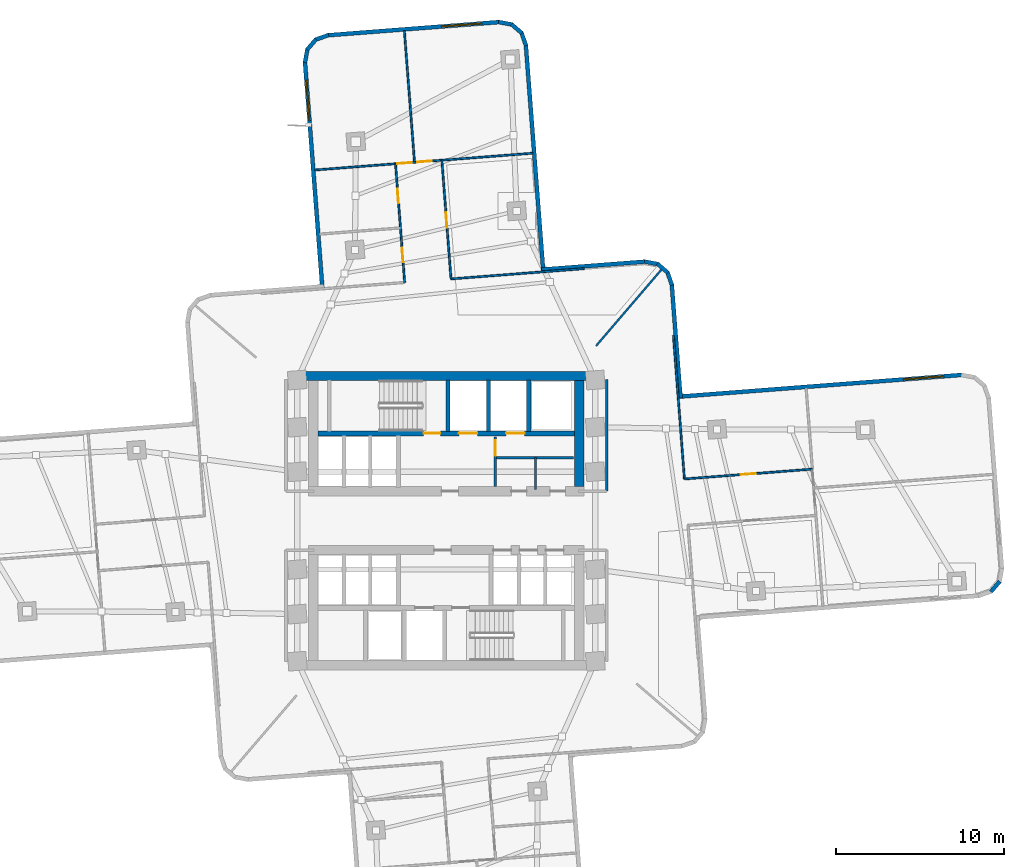
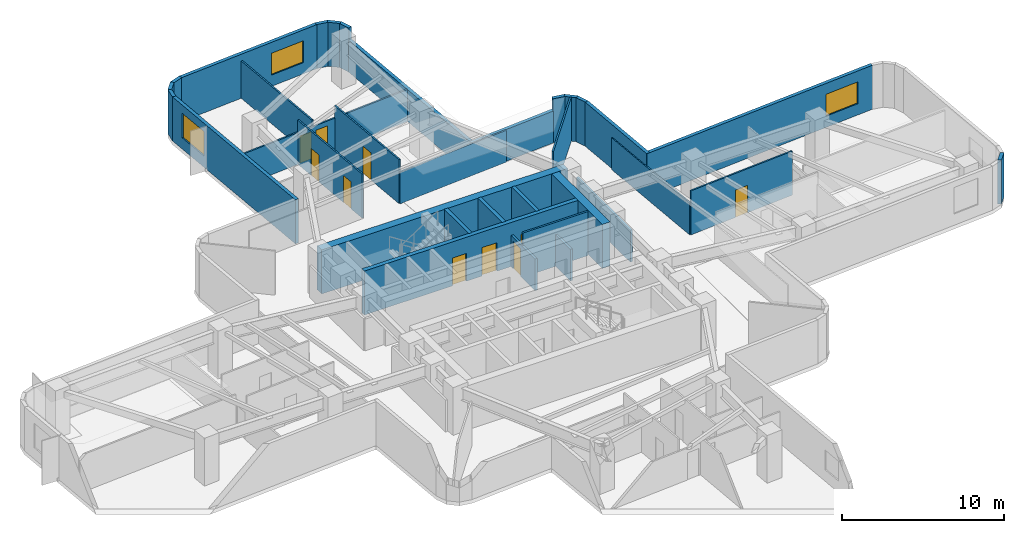
# One storey, part 5 of 10: 34 walls, 10 doors, 3 windows, 13 openings.
"""IFC4 building model written with IfcOpenShell, lengths in metres."""

from ifc_helpers import new_model, si_unit, direction, frame, frame_2d, origin, place, context, subcontext, project, spatial, rectangle, extrude, material, layer, layer_set, type_object, element, fill, save


model = new_model("IFC4")

# Units and contexts
model_context = context("Model", 3, precision=1e-05, world=origin(), true_north=direction((0.0, 1.0)))
body_context = subcontext(model_context, "Body", "Model", "MODEL_VIEW")
ifc_project = project(units=[si_unit("LENGTHUNIT", "METRE"), si_unit("AREAUNIT", "SQUARE_METRE"), si_unit("VOLUMEUNIT", "CUBIC_METRE"), si_unit("PLANEANGLEUNIT", "RADIAN"), si_unit("MASSUNIT", "GRAM", prefix="KILO")], contexts=[model_context])

# Site, building, storey
site_placement = place(None, origin())
site = spatial("IfcSite", under=ifc_project, at=site_placement, CompositionType="ELEMENT")
building_placement = place(site_placement, origin())
building = spatial("IfcBuilding", under=site, at=building_placement, Name="Solmarez Civic Tower", CompositionType="ELEMENT")
storey_placement = place(building_placement, frame((0.0, 0.0, 56.8798828125)))
storey = spatial("IfcBuildingStorey", under=building, at=storey_placement, Name="L14", CompositionType="ELEMENT", Elevation=56.8798828125)

# Walls
ifc_material_1 = material(Name="Concrete C60/75", Category="concrete")
ifc_layer_1 = layer(ifc_material_1, 0.550048828125)
ifc_layer_set_1 = layer_set([ifc_layer_1], Name="Concrete C60/75")
wall_type_1 = type_object("IfcWallType", Name="WALL-CORE-550", PredefinedType="SHEAR", material=ifc_layer_set_1)
wall_1_placement = place(storey_placement, frame((-8.780029296875, 8.5849609375, 0.0), z_axis=(0.0, 0.0, 1.0), x_axis=(1.0, 0.0, 0.0)))
element("IfcWall", 1, at=wall_1_placement, inside=storey, type_object=wall_type_1, Name="L14 Split-Core Structural Wall NCW-N-L14", PredefinedType="SHEAR", context=body_context, shape_type="SweptSolid", body=[
    extrude(rectangle(XDim=17.56005859375, YDim=0.550048828125, at=frame_2d((8.780029296875, 0.0))), origin(), (0.0, 0.0, 1.0), 3.320068359375),
])
wall_2_placement = place(storey_placement, frame((7.89501953125, 8.31005859375, 0.0), z_axis=(0.0, 0.0, 1.0), x_axis=(0.0, -1.0, 0.0)))
element("IfcWall", 2, at=wall_2_placement, inside=storey, type_object=wall_type_1, Name="L14 Split-Core Structural Wall NCW-E-L14", PredefinedType="SHEAR", context=body_context, shape_type="SweptSolid", body=[
    extrude(rectangle(XDim=6.28515625, YDim=0.550048828125, at=frame_2d((3.142578125, 0.0))), origin(), (0.0, 0.0, 1.0), 3.320068359375),
])

# Wall, opening, window
ifc_material_2 = material(Name="Precast concrete C40/50", Category="concrete")
ifc_layer_2 = layer(ifc_material_2, 0.239990234375)
ifc_layer_set_2 = layer_set([ifc_layer_2], Name="Precast concrete C40/50")
wall_type_2 = type_object("IfcWallType", Name="WALL-EXT-240", PredefinedType="SOLIDWALL", material=ifc_layer_set_2)
wall_3_placement = place(storey_placement, frame((-7.362060546875, 13.81005859375, 0.0), z_axis=(0.0, 0.0, 1.0), x_axis=(-0.076653550573, 0.997057788287, 0.0)))
wall_3 = element("IfcWall", 3, at=wall_3_placement, inside=storey, type_object=wall_type_2, Name="L14 Exterior Precast Wall 20", PredefinedType="SOLIDWALL", context=body_context, shape_type="SweptSolid", body=[
    extrude(rectangle(XDim=13.4755859375, YDim=0.239990234375, at=frame_2d((6.73779296875, 0.0))), origin(), (0.0, 0.0, 1.0), 3.320068359375),
])
opening_1_placement = place(wall_3_placement, frame((9.97607421875, 0.0, 0.85009765625)))
opening_1 = element("IfcOpeningElement", 4, at=opening_1_placement, cuts=wall_3, Name="Opening W-06", PredefinedType="OPENING", context=body_context, shape_type="SweptSolid", body=[
    extrude(rectangle(XDim=2.39990234375, YDim=1.85009765625, at=frame_2d((1.199951171875, 0.925048828125))), frame((0.0, 0.1298828125, 0.0), z_axis=(0.0, -1.0, 0.0), x_axis=(1.0, 0.0, 0.0)), (0.0, 0.0, 1.0), 0.260009765625),
])
ifc_material_3 = material(Name="Solar Control Bronze-Tinted Insulating Glass", Category="glass")
window_type_1 = type_object("IfcWindowType", Name="WIN-2400X1850", PartitioningType="SINGLE_PANEL", PredefinedType="WINDOW", material=ifc_material_3)
window_1_placement = place(opening_1_placement, origin())
window_1 = element("IfcWindow", 5, at=window_1_placement, inside=storey, type_object=window_type_1, Name="L14 Exterior Facade Window 20", OverallHeight=1.85009765625, OverallWidth=2.39990234375, PartitioningType="SINGLE_PANEL", PredefinedType="WINDOW", context=body_context, shape_type="SweptSolid", body=[
    extrude(rectangle(XDim=2.39990234375, YDim=1.85009765625, at=frame_2d((1.199951171875, 0.925048828125))), frame((0.0, 0.030029296875, 0.0), z_axis=(0.0, -1.0, 0.0), x_axis=(1.0, 0.0, 0.0)), (0.0, 0.0, 1.0), 0.06005859375),
])
fill(opening_1, window_1)

# Walls
wall_4_placement = place(storey_placement, frame((-8.39794921875, 27.196044921875, 0.0), z_axis=(0.0, 0.0, 1.0), x_axis=(0.184110958028, 0.982905466021, 0.0)))
element("IfcWall", 6, at=wall_4_placement, inside=storey, type_object=wall_type_2, Name="L14 Exterior Precast Wall 21", PredefinedType="SOLIDWALL", context=body_context, shape_type="SweptSolid", body=[
    extrude(rectangle(XDim=0.830078125, YDim=0.239990234375, at=frame_2d((0.4150390625, 0.0))), origin(), (0.0, 0.0, 1.0), 3.320068359375),
])
wall_5_placement = place(storey_placement, frame((-8.26611328125, 27.968017578125, 0.0), z_axis=(0.0, 0.0, 1.0), x_axis=(0.65106299761, 0.759023697352, 0.0)))
element("IfcWall", 7, at=wall_5_placement, inside=storey, type_object=wall_type_2, Name="L14 Exterior Precast Wall 22", PredefinedType="SOLIDWALL", context=body_context, shape_type="SweptSolid", body=[
    extrude(rectangle(XDim=0.814208984375, YDim=0.239990234375, at=frame_2d((0.4072265625, 0.0))), origin(), (0.0, 0.0, 1.0), 3.320068359375),
])
wall_6_placement = place(storey_placement, frame((-7.77587890625, 28.55908203125, 0.0), z_axis=(0.0, 0.0, 1.0), x_axis=(0.943293653353, 0.331959460694, 0.0)))
element("IfcWall", 8, at=wall_6_placement, inside=storey, type_object=wall_type_2, Name="L14 Exterior Precast Wall 23", PredefinedType="SOLIDWALL", context=body_context, shape_type="SweptSolid", body=[
    extrude(rectangle(XDim=0.8310546875, YDim=0.239990234375, at=frame_2d((0.41552734375, 0.0))), origin(), (0.0, 0.0, 1.0), 3.320068359375),
])

# Wall, opening, window
wall_7_placement = place(storey_placement, frame((-7.041015625, 28.824951171875, 0.0), z_axis=(0.0, 0.0, 1.0), x_axis=(0.997052658111, 0.076720251263, 0.0)))
wall_7 = element("IfcWall", 9, at=wall_7_placement, inside=storey, type_object=wall_type_2, Name="L14 Exterior Precast Wall 24", PredefinedType="SOLIDWALL", context=body_context, shape_type="SweptSolid", body=[
    extrude(rectangle(XDim=10.218017578125, YDim=0.239990234375, at=frame_2d((5.10888671875, 0.0))), origin(), (0.0, 0.0, 1.0), 3.320068359375),
])
opening_2_placement = place(wall_7_placement, frame((6.77001953125, 0.0, 0.85009765625)))
opening_2 = element("IfcOpeningElement", 10, at=opening_2_placement, cuts=wall_7, Name="Opening W-10", PredefinedType="OPENING", context=body_context, shape_type="SweptSolid", body=[
    extrude(rectangle(XDim=2.39990234375, YDim=1.64990234375, at=frame_2d((1.199951171875, 0.824951171875))), frame((0.0, 0.1298828125, 0.0), z_axis=(0.0, -1.0, 0.0), x_axis=(1.0, 0.0, 0.0)), (0.0, 0.0, 1.0), 0.260009765625),
])
window_type_2 = type_object("IfcWindowType", Name="WIN-2400X1650", PartitioningType="SINGLE_PANEL", PredefinedType="WINDOW", material=ifc_material_3)
window_2_placement = place(opening_2_placement, origin())
window_2 = element("IfcWindow", 11, at=window_2_placement, inside=storey, type_object=window_type_2, Name="L14 Exterior Facade Window 24", OverallHeight=1.64990234375, OverallWidth=2.39990234375, PartitioningType="SINGLE_PANEL", PredefinedType="WINDOW", context=body_context, shape_type="SweptSolid", body=[
    extrude(rectangle(XDim=2.39990234375, YDim=1.64990234375, at=frame_2d((1.199951171875, 0.824951171875))), frame((0.0, 0.030029296875, 0.0), z_axis=(0.0, -1.0, 0.0), x_axis=(1.0, 0.0, 0.0)), (0.0, 0.0, 1.0), 0.06005859375),
])
fill(opening_2, window_2)

# Walls
wall_8_placement = place(storey_placement, frame((3.096923828125, 29.612060546875, 0.0), z_axis=(0.0, 0.0, 1.0), x_axis=(0.982688894005, -0.185263427582, 0.0)))
element("IfcWall", 12, at=wall_8_placement, inside=storey, type_object=wall_type_2, Name="L14 Exterior Precast Wall 25", PredefinedType="SOLIDWALL", context=body_context, shape_type="SweptSolid", body=[
    extrude(rectangle(XDim=0.83154296875, YDim=0.239990234375, at=frame_2d((0.415771484375, 0.0))), origin(), (0.0, 0.0, 1.0), 3.320068359375),
])
wall_9_placement = place(storey_placement, frame((3.8701171875, 29.47900390625, 0.0), z_axis=(0.0, 0.0, 1.0), x_axis=(0.759616636226, -0.650371098657, 0.0)))
element("IfcWall", 13, at=wall_9_placement, inside=storey, type_object=wall_type_2, Name="L14 Exterior Precast Wall 26", PredefinedType="SOLIDWALL", context=body_context, shape_type="SweptSolid", body=[
    extrude(rectangle(XDim=0.8134765625, YDim=0.239990234375, at=frame_2d((0.40673828125, 0.0))), origin(), (0.0, 0.0, 1.0), 3.320068359375),
])
wall_10_placement = place(storey_placement, frame((4.4609375, 28.989990234375, 0.0), z_axis=(0.0, 0.0, 1.0), x_axis=(0.331174926, -0.943569376564, 0.0)))
element("IfcWall", 14, at=wall_10_placement, inside=storey, type_object=wall_type_2, Name="L14 Exterior Precast Wall 27", PredefinedType="SOLIDWALL", context=body_context, shape_type="SweptSolid", body=[
    extrude(rectangle(XDim=0.830810546875, YDim=0.239990234375, at=frame_2d((0.41552734375, 0.0))), origin(), (0.0, 0.0, 1.0), 3.320068359375),
])
wall_11_placement = place(storey_placement, frame((4.72607421875, 28.2548828125, 0.0), z_axis=(0.0, 0.0, 1.0), x_axis=(0.076726978627, -0.997052140437, 0.0)))
element("IfcWall", 15, at=wall_11_placement, inside=storey, type_object=wall_type_2, Name="L14 Exterior Precast Wall 28", PredefinedType="SOLIDWALL", context=body_context, shape_type="SweptSolid", body=[
    extrude(rectangle(XDim=13.4755859375, YDim=0.239990234375, at=frame_2d((6.73779296875, 0.0))), origin(), (0.0, 0.0, 1.0), 2.401123046875),
])
wall_12_placement = place(storey_placement, frame((5.656982421875, 14.907958984375, 0.0), z_axis=(0.0, 0.0, 1.0), x_axis=(0.997048202977, 0.076778128006, 0.0)))
element("IfcWall", 16, at=wall_12_placement, inside=storey, type_object=wall_type_2, Name="L14 Exterior Precast Wall 31", PredefinedType="SOLIDWALL", context=body_context, shape_type="SweptSolid", body=[
    extrude(rectangle(XDim=6.17529296875, YDim=0.239990234375, at=frame_2d((3.087646484375, 0.0))), origin(), (0.0, 0.0, 1.0), 2.401123046875),
])
wall_13_placement = place(storey_placement, frame((11.763916015625, 15.385009765625, 0.0), z_axis=(0.0, 0.0, 1.0), x_axis=(0.982688894005, -0.185263427582, 0.0)))
element("IfcWall", 17, at=wall_13_placement, inside=storey, type_object=wall_type_2, Name="L14 Exterior Precast Wall 32", PredefinedType="SOLIDWALL", context=body_context, shape_type="SweptSolid", body=[
    extrude(rectangle(XDim=0.83154296875, YDim=0.239990234375, at=frame_2d((0.415771484375, 0.0))), origin(), (0.0, 0.0, 1.0), 3.320068359375),
])
wall_14_placement = place(storey_placement, frame((12.537109375, 15.251953125, 0.0), z_axis=(0.0, 0.0, 1.0), x_axis=(0.759616636226, -0.650371098657, 0.0)))
element("IfcWall", 18, at=wall_14_placement, inside=storey, type_object=wall_type_2, Name="L14 Exterior Precast Wall 33", PredefinedType="SOLIDWALL", context=body_context, shape_type="SweptSolid", body=[
    extrude(rectangle(XDim=0.8134765625, YDim=0.239990234375, at=frame_2d((0.40673828125, 0.0))), origin(), (0.0, 0.0, 1.0), 3.320068359375),
])
wall_15_placement = place(storey_placement, frame((13.1279296875, 14.762939453125, 0.0), z_axis=(0.0, 0.0, 1.0), x_axis=(0.331174926, -0.943569376564, 0.0)))
element("IfcWall", 19, at=wall_15_placement, inside=storey, type_object=wall_type_2, Name="L14 Exterior Precast Wall 34", PredefinedType="SOLIDWALL", context=body_context, shape_type="SweptSolid", body=[
    extrude(rectangle(XDim=0.830810546875, YDim=0.239990234375, at=frame_2d((0.41552734375, 0.0))), origin(), (0.0, 0.0, 1.0), 3.320068359375),
])
wall_16_placement = place(storey_placement, frame((13.39306640625, 14.028076171875, 0.0), z_axis=(0.0, 0.0, 1.0), x_axis=(0.076754366588, -0.997050032451, 0.0)))
element("IfcWall", 20, at=wall_16_placement, inside=storey, type_object=wall_type_2, Name="L14 Exterior Precast Wall 35", PredefinedType="SOLIDWALL", context=body_context, shape_type="SweptSolid", body=[
    extrude(rectangle(XDim=6.775146484375, YDim=0.239990234375, at=frame_2d((3.3876953125, 0.0))), origin(), (0.0, 0.0, 1.0), 3.320068359375),
])

# Wall, opening, window
wall_17_placement = place(storey_placement, frame((13.81005859375, 7.362060546875, 0.0), z_axis=(0.0, 0.0, 1.0), x_axis=(0.997055761943, 0.076679903335, 0.0)))
wall_17 = element("IfcWall", 21, at=wall_17_placement, inside=storey, type_object=wall_type_2, Name="L14 Exterior Precast Wall 38", PredefinedType="SOLIDWALL", context=body_context, shape_type="SweptSolid", body=[
    extrude(rectangle(XDim=16.874755859375, YDim=0.239990234375, at=frame_2d((8.4375, 0.0))), origin(), (0.0, 0.0, 1.0), 3.320068359375),
])
opening_3_placement = place(wall_17_placement, frame((13.375, 0.0, 0.85009765625)))
opening_3 = element("IfcOpeningElement", 22, at=opening_3_placement, cuts=wall_17, Name="Opening W-10", PredefinedType="OPENING", context=body_context, shape_type="SweptSolid", body=[
    extrude(rectangle(XDim=2.39990234375, YDim=1.64990234375, at=frame_2d((1.199951171875, 0.824951171875))), frame((0.0, 0.1298828125, 0.0), z_axis=(0.0, -1.0, 0.0), x_axis=(1.0, 0.0, 0.0)), (0.0, 0.0, 1.0), 0.260009765625),
])
window_3_placement = place(opening_3_placement, origin())
window_3 = element("IfcWindow", 23, at=window_3_placement, inside=storey, type_object=window_type_2, Name="L14 Exterior Facade Window 38", OverallHeight=1.64990234375, OverallWidth=2.39990234375, PartitioningType="SINGLE_PANEL", PredefinedType="WINDOW", context=body_context, shape_type="SweptSolid", body=[
    extrude(rectangle(XDim=2.39990234375, YDim=1.64990234375, at=frame_2d((1.199951171875, 0.824951171875))), frame((0.0, 0.030029296875, 0.0), z_axis=(0.0, -1.0, 0.0), x_axis=(1.0, 0.0, 0.0)), (0.0, 0.0, 1.0), 0.06005859375),
])
fill(opening_3, window_3)

# Walls
wall_18_placement = place(storey_placement, frame((32.868896484375, -3.60888671875, 0.0), z_axis=(0.0, 0.0, 1.0), x_axis=(-0.650049601962, -0.759891778471, 0.0)))
element("IfcWall", 24, at=wall_18_placement, inside=storey, type_object=wall_type_2, Name="L14 Exterior Precast Wall 44", PredefinedType="SOLIDWALL", context=body_context, shape_type="SweptSolid", body=[
    extrude(rectangle(XDim=0.8134765625, YDim=0.239990234375, at=frame_2d((0.40673828125, 0.0))), origin(), (0.0, 0.0, 1.0), 3.320068359375),
])
ifc_material_4 = material(Name="Gypsum Board Acoustic Steel-Stud Partition", Category="steel")
ifc_layer_3 = layer(ifc_material_4, 0.14990234375)
ifc_layer_set_3 = layer_set([ifc_layer_3], Name="Gypsum Board Acoustic Steel-Stud Partition")
wall_type_3 = type_object("IfcWallType", Name="WALL-INT-FIRE-150", PredefinedType="PARTITIONING", material=ifc_layer_set_3)
wall_19_placement = place(storey_placement, frame((9.52001953125, 1.75, 0.0), z_axis=(0.0, 0.0, 1.0), x_axis=(0.0, 1.0, 0.0)))
element("IfcWall", 25, at=wall_19_placement, inside=storey, type_object=wall_type_3, Name="L14 Interior Partition CHW-L14-EN1", PredefinedType="PARTITIONING", context=body_context, shape_type="SweptSolid", body=[
    extrude(rectangle(XDim=6.6298828125, YDim=0.14990234375, at=frame_2d((3.31494140625, 0.0))), origin(), (0.0, 0.0, 1.0), 2.401123046875),
])
ifc_layer_4 = layer(ifc_material_4, 0.110107421875)
ifc_layer_set_4 = layer_set([ifc_layer_4], Name="Gypsum Board Acoustic Steel-Stud Partition")
wall_type_4 = type_object("IfcWallType", Name="WALL-INT-PART-110", PredefinedType="PARTITIONING", material=ifc_layer_set_4)
wall_20_placement = place(storey_placement, frame((8.89697265625, 10.3798828125, 0.0), z_axis=(0.0, 0.0, 1.0), x_axis=(0.650777932984, 0.759268122564, 0.0)))
element("IfcWall", 26, at=wall_20_placement, inside=storey, type_object=wall_type_4, Name="L14 Interior Partition PT-L14-QDIV-1", PredefinedType="PARTITIONING", context=body_context, shape_type="SweptSolid", body=[
    extrude(rectangle(XDim=5.983642578125, YDim=0.110107421875, at=frame_2d((2.99169921875, 0.0))), origin(), (0.0, 0.0, 1.0), 3.320068359375),
])
wall_21_placement = place(storey_placement, frame((14.14306640625, 2.4619140625, 0.0), z_axis=(0.0, 0.0, 1.0), x_axis=(-0.076722700704, 0.997052469631, 0.0)))
element("IfcWall", 27, at=wall_21_placement, inside=storey, type_object=wall_type_4, Name="L14 Interior Partition PT-L14-E-EFL", PredefinedType="PARTITIONING", context=body_context, shape_type="SweptSolid", body=[
    extrude(rectangle(XDim=8.55029296875, YDim=0.110107421875, at=frame_2d((4.275146484375, 0.0))), origin(), (0.0, 0.0, 1.0), 2.401123046875),
])

# Wall, opening, door
wall_22_placement = place(storey_placement, frame((21.739990234375, 3.056884765625, 0.0), z_axis=(0.0, 0.0, 1.0), x_axis=(-0.997049394946, -0.076762647418, 0.0)))
wall_22 = element("IfcWall", 28, at=wall_22_placement, inside=storey, type_object=wall_type_4, Name="L14 Interior Partition PT-L14-E-SL", PredefinedType="PARTITIONING", context=body_context, shape_type="SweptSolid", body=[
    extrude(rectangle(XDim=7.620361328125, YDim=0.110107421875, at=frame_2d((3.81005859375, 0.0))), origin(), (0.0, 0.0, 1.0), 3.320068359375),
])
opening_4_placement = place(wall_22_placement, frame((3.360107421875, 0.0, 0.0)))
opening_4 = element("IfcOpeningElement", 29, at=opening_4_placement, cuts=wall_22, Name="Opening D-08", PredefinedType="OPENING", context=body_context, shape_type="SweptSolid", body=[
    extrude(rectangle(XDim=0.89990234375, YDim=2.06005859375, at=frame_2d((0.449951171875, 1.030029296875))), frame((0.0, 0.06494140625, 0.0), z_axis=(0.0, -1.0, 0.0), x_axis=(1.0, 0.0, 0.0)), (0.0, 0.0, 1.0), 0.130126953125),
])
ifc_material_5 = material(Name="Solid-Core Timber Office Door", Category="wood")
door_type_1 = type_object("IfcDoorType", Name="DOOR-INT-900", OperationType="NOTDEFINED", PredefinedType="DOOR", material=ifc_material_5)
door_1_placement = place(opening_4_placement, origin())
door_1 = element("IfcDoor", 30, at=door_1_placement, inside=storey, type_object=door_type_1, Name="L14 Staff Dining Canteen East Door", OperationType="SINGLE_SWING_LEFT", OverallHeight=2.06005859375, OverallWidth=0.89990234375, PredefinedType="DOOR", context=body_context, shape_type="SweptSolid", body=[
    extrude(rectangle(XDim=0.89990234375, YDim=2.06005859375, at=frame_2d((0.449951171875, 1.030029296875))), frame((0.0, 0.02490234375, 0.0), z_axis=(0.0, -1.0, 0.0), x_axis=(1.0, 0.0, 0.0)), (0.0, 0.0, 1.0), 0.050048828125),
])
fill(opening_4, door_1)

# Wall
wall_23_placement = place(storey_placement, frame((8.197021484375, 14.962890625, 0.0), z_axis=(0.0, 0.0, 1.0), x_axis=(-0.99705358226, -0.076708240121, 0.0)))
element("IfcWall", 31, at=wall_23_placement, inside=storey, type_object=wall_type_4, Name="L14 Interior Partition PT-L14-N-EFR", PredefinedType="PARTITIONING", context=body_context, shape_type="SweptSolid", body=[
    extrude(rectangle(XDim=7.950439453125, YDim=0.110107421875, at=frame_2d((3.97509765625, 0.0))), origin(), (0.0, 0.0, 1.0), 2.401123046875),
])

# Wall, openings, doors
wall_24_placement = place(storey_placement, frame((-3.014892578125, 21.19091796875, 0.0), z_axis=(0.0, 0.0, 1.0), x_axis=(0.076802129822, -0.997046354416, 0.0)))
wall_24 = element("IfcWall", 32, at=wall_24_placement, inside=storey, type_object=wall_type_4, Name="L14 Interior Partition PT-L14-N-SL", PredefinedType="PARTITIONING", context=body_context, shape_type="SweptSolid", body=[
    extrude(rectangle(XDim=7.06982421875, YDim=0.110107421875, at=frame_2d((3.534912109375, 0.0))), origin(), (0.0, 0.0, 1.0), 3.320068359375),
])
opening_5_placement = place(wall_24_placement, frame((5.014892578125, 0.0, 0.0)))
opening_5 = element("IfcOpeningElement", 33, at=opening_5_placement, cuts=wall_24, Name="Opening D-14", PredefinedType="OPENING", context=body_context, shape_type="SweptSolid", body=[
    extrude(rectangle(XDim=0.860107421875, YDim=2.0400390625, at=frame_2d((0.43017578125, 1.02001953125))), frame((0.0, 0.06494140625, 0.0), z_axis=(0.0, -1.0, 0.0), x_axis=(1.0, 0.0, 0.0)), (0.0, 0.0, 1.0), 0.130126953125),
])
opening_6_placement = place(wall_24_placement, frame((1.47998046875, 0.0, 0.0)))
opening_6 = element("IfcOpeningElement", 34, at=opening_6_placement, cuts=wall_24, Name="Opening D-14", PredefinedType="OPENING", context=body_context, shape_type="SweptSolid", body=[
    extrude(rectangle(XDim=0.860107421875, YDim=2.0400390625, at=frame_2d((0.43017578125, 1.02001953125))), frame((0.0, 0.06494140625, 0.0), z_axis=(0.0, -1.0, 0.0), x_axis=(1.0, 0.0, 0.0)), (0.0, 0.0, 1.0), 0.130126953125),
])
ifc_material_6 = material(Name="Timber Storage and Pantry Door", Category="wood")
door_type_2 = type_object("IfcDoorType", Name="DOOR-INT-850", OperationType="NOTDEFINED", PredefinedType="DOOR", material=ifc_material_6)
door_2_placement = place(opening_5_placement, origin())
door_2 = element("IfcDoor", 35, at=door_2_placement, inside=storey, type_object=door_type_2, Name="L14 Catering Servery First North Door", OperationType="SINGLE_SWING_LEFT", OverallHeight=2.0400390625, OverallWidth=0.860107421875, PredefinedType="DOOR", context=body_context, shape_type="SweptSolid", body=[
    extrude(rectangle(XDim=0.860107421875, YDim=2.0400390625, at=frame_2d((0.43017578125, 1.02001953125))), frame((0.0, 0.02490234375, 0.0), z_axis=(0.0, -1.0, 0.0), x_axis=(1.0, 0.0, 0.0)), (0.0, 0.0, 1.0), 0.050048828125),
])
fill(opening_5, door_2)
door_3_placement = place(opening_6_placement, origin())
door_3 = element("IfcDoor", 36, at=door_3_placement, inside=storey, type_object=door_type_2, Name="L14 Delegates Sitting Lounge Second North Door", OperationType="SINGLE_SWING_RIGHT", OverallHeight=2.0400390625, OverallWidth=0.860107421875, PredefinedType="DOOR", context=body_context, shape_type="SweptSolid", body=[
    extrude(rectangle(XDim=0.860107421875, YDim=2.0400390625, at=frame_2d((0.43017578125, 1.02001953125))), frame((0.0, 0.02490234375, 0.0), z_axis=(0.0, -1.0, 0.0), x_axis=(1.0, 0.0, 0.0)), (0.0, 0.0, 1.0), 0.050048828125),
])
fill(opening_6, door_3)

# Wall, opening, door
wall_25_placement = place(storey_placement, frame((0.280029296875, 14.35400390625, 0.0), z_axis=(0.0, 0.0, 1.0), x_axis=(-0.076799485513, 0.997046558103, 0.0)))
wall_25 = element("IfcWall", 37, at=wall_25_placement, inside=storey, type_object=wall_type_4, Name="L14 Interior Partition PT-L14-N-SR", PredefinedType="PARTITIONING", context=body_context, shape_type="SweptSolid", body=[
    extrude(rectangle(XDim=7.070068359375, YDim=0.110107421875, at=frame_2d((3.53515625, 0.0))), origin(), (0.0, 0.0, 1.0), 3.320068359375),
])
opening_7_placement = place(wall_25_placement, frame((3.054931640625, 0.0, 0.0)))
opening_7 = element("IfcOpeningElement", 38, at=opening_7_placement, cuts=wall_25, Name="Opening D-08", PredefinedType="OPENING", context=body_context, shape_type="SweptSolid", body=[
    extrude(rectangle(XDim=0.89990234375, YDim=2.06005859375, at=frame_2d((0.449951171875, 1.030029296875))), frame((0.0, 0.06494140625, 0.0), z_axis=(0.0, -1.0, 0.0), x_axis=(1.0, 0.0, 0.0)), (0.0, 0.0, 1.0), 0.130126953125),
])
door_4_placement = place(opening_7_placement, origin())
door_4 = element("IfcDoor", 39, at=door_4_placement, inside=storey, type_object=door_type_1, Name="L14 Civic Multi-Purpose Room Third North Door", OperationType="SINGLE_SWING_RIGHT", OverallHeight=2.06005859375, OverallWidth=0.89990234375, PredefinedType="DOOR", context=body_context, shape_type="SweptSolid", body=[
    extrude(rectangle(XDim=0.89990234375, YDim=2.06005859375, at=frame_2d((0.449951171875, 1.030029296875))), frame((0.0, 0.02490234375, 0.0), z_axis=(0.0, -1.0, 0.0), x_axis=(1.0, 0.0, 0.0)), (0.0, 0.0, 1.0), 0.050048828125),
])
fill(opening_7, door_4)

# Wall
wall_26_placement = place(storey_placement, frame((-1.89306640625, 21.337890625, 0.0), z_axis=(0.0, 0.0, 1.0), x_axis=(-0.076648474593, 0.997058178514, 0.0)))
element("IfcWall", 40, at=wall_26_placement, inside=storey, type_object=wall_type_4, Name="L14 Interior Partition PT-L14-N-TM", PredefinedType="PARTITIONING", context=body_context, shape_type="SweptSolid", body=[
    extrude(rectangle(XDim=7.775146484375, YDim=0.110107421875, at=frame_2d((3.8876953125, 0.0))), origin(), (0.0, 0.0, 1.0), 2.81201171875),
])

# Wall, openings, doors
wall_27_placement = place(storey_placement, frame((-7.81494140625, 20.822021484375, 0.0), z_axis=(0.0, 0.0, 1.0), x_axis=(0.997055259391, 0.076686437656, 0.0)))
wall_27 = element("IfcWall", 41, at=wall_27_placement, inside=storey, type_object=wall_type_4, Name="L14 Interior Partition PT-L14-N-END", PredefinedType="PARTITIONING", context=body_context, shape_type="SweptSolid", body=[
    extrude(rectangle(XDim=12.9892578125, YDim=0.110107421875, at=frame_2d((6.49462890625, 0.0))), origin(), (0.0, 0.0, 1.0), 2.401123046875),
])
opening_8_placement = place(wall_27_placement, frame((6.114990234375, 0.0, 0.0)))
opening_8 = element("IfcOpeningElement", 42, at=opening_8_placement, cuts=wall_27, Name="Opening D-14", PredefinedType="OPENING", context=body_context, shape_type="SweptSolid", body=[
    extrude(rectangle(XDim=0.860107421875, YDim=2.0400390625, at=frame_2d((0.43017578125, 1.02001953125))), frame((0.0, 0.06494140625, 0.0), z_axis=(0.0, -1.0, 0.0), x_axis=(1.0, 0.0, 0.0)), (0.0, 0.0, 1.0), 0.130126953125),
])
opening_9_placement = place(wall_27_placement, frame((4.9150390625, 0.0, 0.0)))
opening_9 = element("IfcOpeningElement", 43, at=opening_9_placement, cuts=wall_27, Name="Opening D-14", PredefinedType="OPENING", context=body_context, shape_type="SweptSolid", body=[
    extrude(rectangle(XDim=0.860107421875, YDim=2.0400390625, at=frame_2d((0.43017578125, 1.02001953125))), frame((0.0, 0.06494140625, 0.0), z_axis=(0.0, -1.0, 0.0), x_axis=(1.0, 0.0, 0.0)), (0.0, 0.0, 1.0), 0.130126953125),
])
door_5_placement = place(opening_8_placement, origin())
door_5 = element("IfcDoor", 44, at=door_5_placement, inside=storey, type_object=door_type_2, Name="L14 Staff Dining Canteen Sixth North Door", OperationType="SINGLE_SWING_RIGHT", OverallHeight=2.0400390625, OverallWidth=0.860107421875, PredefinedType="DOOR", context=body_context, shape_type="SweptSolid", body=[
    extrude(rectangle(XDim=0.860107421875, YDim=2.0400390625, at=frame_2d((0.43017578125, 1.02001953125))), frame((0.0, 0.02490234375, 0.0), z_axis=(0.0, -1.0, 0.0), x_axis=(1.0, 0.0, 0.0)), (0.0, 0.0, 1.0), 0.050048828125),
])
fill(opening_8, door_5)
door_6_placement = place(opening_9_placement, origin())
door_6 = element("IfcDoor", 45, at=door_6_placement, inside=storey, type_object=door_type_2, Name="L14 Civic Multi-Purpose Room Fifth North Door", OperationType="SINGLE_SWING_LEFT", OverallHeight=2.0400390625, OverallWidth=0.860107421875, PredefinedType="DOOR", context=body_context, shape_type="SweptSolid", body=[
    extrude(rectangle(XDim=0.860107421875, YDim=2.0400390625, at=frame_2d((0.43017578125, 1.02001953125))), frame((0.0, 0.02490234375, 0.0), z_axis=(0.0, -1.0, 0.0), x_axis=(1.0, 0.0, 0.0)), (0.0, 0.0, 1.0), 0.050048828125),
])
fill(opening_9, door_6)

# Wall, opening, door
ifc_layer_5 = layer(ifc_material_4, 0.159912109375)
ifc_layer_set_5 = layer_set([ifc_layer_5], Name="Gypsum Board Acoustic Steel-Stud Partition")
wall_type_5 = type_object("IfcWallType", Name="WALL-INT-SHAFT-160", PredefinedType="PARTITIONING", material=ifc_layer_set_5)
wall_28_placement = place(storey_placement, frame((2.89990234375, 2.0400390625, 0.0), z_axis=(0.0, 0.0, 1.0), x_axis=(0.0, 1.0, 0.0)))
wall_28 = element("IfcWall", 46, at=wall_28_placement, inside=storey, type_object=wall_type_5, Name="L14 Interior Partition SHW-NL2-L14", PredefinedType="PARTITIONING", context=body_context, shape_type="SweptSolid", body=[
    extrude(rectangle(XDim=2.93994140625, YDim=0.159912109375, at=frame_2d((1.469970703125, 0.0))), origin(), (0.0, 0.0, 1.0), 2.385009765625),
])
opening_10_placement = place(wall_28_placement, frame((1.820068359375, 0.0, 0.0)))
opening_10 = element("IfcOpeningElement", 47, at=opening_10_placement, cuts=wall_28, Name="Opening D-09", PredefinedType="OPENING", context=body_context, shape_type="SweptSolid", body=[
    extrude(rectangle(XDim=0.89990234375, YDim=2.06005859375, at=frame_2d((0.449951171875, 1.030029296875))), frame((0.0, 0.08984375, 0.0), z_axis=(0.0, -1.0, 0.0), x_axis=(1.0, 0.0, 0.0)), (0.0, 0.0, 1.0), 0.179931640625),
])
ifc_material_7 = material(Name="Fire-Rated Service Core Door", Category="wood")
door_type_3 = type_object("IfcDoorType", Name="DOOR-FD60-900", OperationType="NOTDEFINED", PredefinedType="DOOR", material=ifc_material_7)
door_7_placement = place(opening_10_placement, origin())
door_7 = element("IfcDoor", 48, at=door_7_placement, inside=storey, type_object=door_type_3, Name="L14 Service Lift Lobby Door", OperationType="SINGLE_SWING_LEFT", OverallHeight=2.06005859375, OverallWidth=0.89990234375, PredefinedType="DOOR", context=body_context, shape_type="SweptSolid", body=[
    extrude(rectangle(XDim=0.89990234375, YDim=2.06005859375, at=frame_2d((0.449951171875, 1.030029296875))), frame((0.0, 0.02490234375, 0.0), z_axis=(0.0, -1.0, 0.0), x_axis=(1.0, 0.0, 0.0)), (0.0, 0.0, 1.0), 0.050048828125),
])
fill(opening_10, door_7)

# Walls
ifc_layer_6 = layer(ifc_material_4, 0.137939453125)
ifc_layer_set_6 = layer_set([ifc_layer_6], Name="Gypsum Board Acoustic Steel-Stud Partition")
wall_type_6 = type_object("IfcWallType", Name="WALL-INT-WET-140", PredefinedType="PARTITIONING", material=ifc_layer_set_6)
wall_29_placement = place(storey_placement, frame((2.89990234375, 3.739990234375, 0.0), z_axis=(0.0, 0.0, 1.0), x_axis=(1.0, 0.0, 0.0)))
element("IfcWall", 49, at=wall_29_placement, inside=storey, type_object=wall_type_6, Name="L14 Interior Partition SHW-SVH-L14", PredefinedType="PARTITIONING", context=body_context, shape_type="SweptSolid", body=[
    extrude(rectangle(XDim=4.650146484375, YDim=0.137939453125, at=frame_2d((2.3251953125, 0.0))), origin(), (0.0, 0.0, 1.0), 3.320068359375),
])
wall_30_placement = place(storey_placement, frame((5.300048828125, 1.85009765625, 0.0), z_axis=(0.0, 0.0, 1.0), x_axis=(0.0, 1.0, 0.0)))
element("IfcWall", 50, at=wall_30_placement, inside=storey, type_object=wall_type_6, Name="L14 Interior Partition PT-NCSV-L14", PredefinedType="PARTITIONING", context=body_context, shape_type="SweptSolid", body=[
    extrude(rectangle(XDim=1.889892578125, YDim=0.137939453125, at=frame_2d((0.94482421875, 0.0))), origin(), (0.0, 0.0, 1.0), 2.385009765625),
])

# Wall, openings, doors
ifc_material_8 = material(Name="Concrete C50/60", Category="concrete")
ifc_layer_7 = layer(ifc_material_8, 0.300048828125)
ifc_layer_set_7 = layer_set([ifc_layer_7], Name="Concrete C50/60")
wall_type_7 = type_object("IfcWallType", Name="WALL-STR-300", PredefinedType="SOLIDWALL", material=ifc_layer_set_7)
wall_31_placement = place(storey_placement, frame((7.6201171875, 5.179931640625, 0.0), z_axis=(0.0, 0.0, 1.0), x_axis=(-1.0, 0.0, 0.0)))
wall_31 = element("IfcWall", 51, at=wall_31_placement, inside=storey, type_object=wall_type_7, Name="L14 Split-Core Structural Wall NCW-M-L14", PredefinedType="SOLIDWALL", context=body_context, shape_type="SweptSolid", body=[
    extrude(rectangle(XDim=15.240234375, YDim=0.300048828125, at=frame_2d((7.6201171875, 0.0))), origin(), (0.0, 0.0, 1.0), 3.320068359375),
])
opening_11_placement = place(wall_31_placement, frame((5.77001953125, 0.0, 0.0)))
opening_11 = element("IfcOpeningElement", 52, at=opening_11_placement, cuts=wall_31, Name="Opening LD-02", PredefinedType="OPENING", context=body_context, shape_type="SweptSolid", body=[
    extrude(rectangle(XDim=1.10009765625, YDim=2.14990234375, at=frame_2d((0.550048828125, 1.074951171875))), frame((0.0, 0.159912109375, 0.0), z_axis=(0.0, -1.0, 0.0), x_axis=(1.0, 0.0, 0.0)), (0.0, 0.0, 1.0), 0.320068359375),
])
opening_12_placement = place(wall_31_placement, frame((2.969970703125, 0.0, 0.0)))
opening_12 = element("IfcOpeningElement", 53, at=opening_12_placement, cuts=wall_31, Name="Opening LD-03", PredefinedType="OPENING", context=body_context, shape_type="SweptSolid", body=[
    extrude(rectangle(XDim=1.10009765625, YDim=2.14990234375, at=frame_2d((0.550048828125, 1.074951171875))), frame((0.0, 0.159912109375, 0.0), z_axis=(0.0, -1.0, 0.0), x_axis=(1.0, 0.0, 0.0)), (0.0, 0.0, 1.0), 0.320068359375),
])
opening_13_placement = place(wall_31_placement, frame((7.969970703125, 0.0, 0.0)))
opening_13 = element("IfcOpeningElement", 54, at=opening_13_placement, cuts=wall_31, Name="Opening D-05", PredefinedType="OPENING", context=body_context, shape_type="SweptSolid", body=[
    extrude(rectangle(XDim=1.0, YDim=2.10009765625, at=frame_2d((0.5, 1.050048828125))), frame((0.0, 0.159912109375, 0.0), z_axis=(0.0, -1.0, 0.0), x_axis=(1.0, 0.0, 0.0)), (0.0, 0.0, 1.0), 0.320068359375),
])
ifc_material_9 = material(Name="Fire-Rated Stairwell Exit Door", Category="wood")
door_type_4 = type_object("IfcDoorType", Name="DOOR-FD90-1000", OperationType="NOTDEFINED", PredefinedType="DOOR", material=ifc_material_9)
door_8_placement = place(opening_13_placement, origin())
door_8 = element("IfcDoor", 55, at=door_8_placement, inside=storey, type_object=door_type_4, Name="L14 North Exit Stair Door ST-1", OperationType="SINGLE_SWING_LEFT", OverallHeight=2.10009765625, OverallWidth=1.0, PredefinedType="DOOR", context=body_context, shape_type="SweptSolid", body=[
    extrude(rectangle(XDim=1.0, YDim=2.10009765625, at=frame_2d((0.5, 1.050048828125))), frame((0.0, 0.02490234375, 0.0), z_axis=(0.0, -1.0, 0.0), x_axis=(1.0, 0.0, 0.0)), (0.0, 0.0, 1.0), 0.050048828125),
])
fill(opening_13, door_8)
ifc_material_10 = material(Name="Stainless Firefighting Lift Landing Sliding Door", Category="aluminium")
door_type_5 = type_object("IfcDoorType", Name="DOOR-LD-FF-1100", OperationType="DOUBLE_DOOR_SLIDING", PredefinedType="DOOR", material=ifc_material_10)
door_9_placement = place(opening_11_placement, origin())
door_9 = element("IfcDoor", 56, at=door_9_placement, inside=storey, type_object=door_type_5, Name="L14 Firefighting Lift Landing Door FFL-1", OperationType="DOUBLE_DOOR_SLIDING", OverallHeight=2.14990234375, OverallWidth=1.10009765625, PredefinedType="DOOR", context=body_context, shape_type="SweptSolid", body=[
    extrude(rectangle(XDim=1.10009765625, YDim=2.14990234375, at=frame_2d((0.550048828125, 1.074951171875))), frame((0.0, 0.02490234375, 0.0), z_axis=(0.0, -1.0, 0.0), x_axis=(1.0, 0.0, 0.0)), (0.0, 0.0, 1.0), 0.050048828125),
])
fill(opening_11, door_9)
ifc_material_11 = material(Name="Stainless Stretcher Lift Landing Sliding Door", Category="aluminium")
door_type_6 = type_object("IfcDoorType", Name="DOOR-LD-SV-1100", OperationType="DOUBLE_DOOR_SLIDING", PredefinedType="DOOR", material=ifc_material_11)
door_10_placement = place(opening_12_placement, origin())
door_10 = element("IfcDoor", 57, at=door_10_placement, inside=storey, type_object=door_type_6, Name="L14 Service Stretcher Lift Landing Door SVL-1", OperationType="DOUBLE_DOOR_SLIDING", OverallHeight=2.14990234375, OverallWidth=1.10009765625, PredefinedType="DOOR", context=body_context, shape_type="SweptSolid", body=[
    extrude(rectangle(XDim=1.10009765625, YDim=2.14990234375, at=frame_2d((0.550048828125, 1.074951171875))), frame((0.0, 0.02490234375, 0.0), z_axis=(0.0, -1.0, 0.0), x_axis=(1.0, 0.0, 0.0)), (0.0, 0.0, 1.0), 0.050048828125),
])
fill(opening_12, door_10)

# Walls
for number, where, z_axis, x_axis, name in (
    (58, (0.10009765625, 5.300048828125, 0.0), (0.0, 0.0, 1.0), (0.0, 1.0, 0.0), "L14 Split-Core Structural Wall SHW-N1-L14"),
    (59, (2.5, 5.300048828125, 0.0), (0.0, 0.0, 1.0), (0.0, 1.0, 0.0), "L14 Split-Core Structural Wall SHW-N2-L14"),
    (60, (4.89990234375, 5.300048828125, 0.0), (0.0, 0.0, 1.0), (0.0, 1.0, 0.0), "L14 Split-Core Structural Wall SHW-N3-L14"),
):
    element("IfcWall", number, at=place(storey_placement, frame(where, z_axis=z_axis, x_axis=x_axis)), inside=storey, type_object=wall_type_7, Name=name, PredefinedType="SOLIDWALL", context=body_context, shape_type="SweptSolid", body=[
        extrude(rectangle(XDim=3.0400390625, YDim=0.25, at=frame_2d((1.52001953125, 0.0))), origin(), (0.0, 0.0, 1.0), 3.320068359375),
    ])

save(model, "model.ifc")
